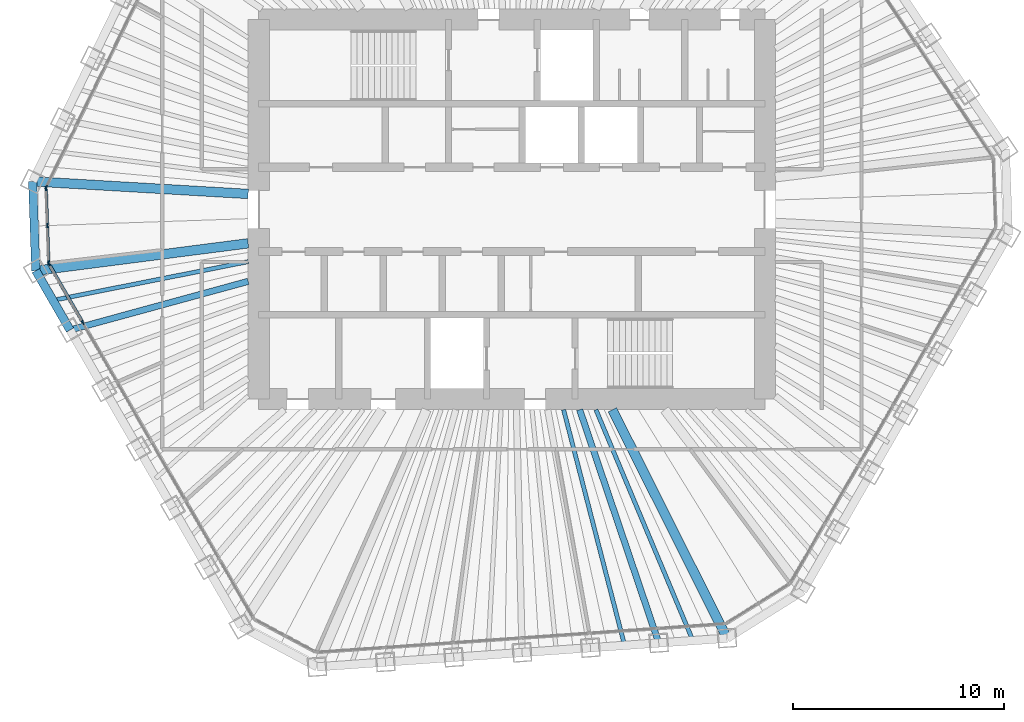
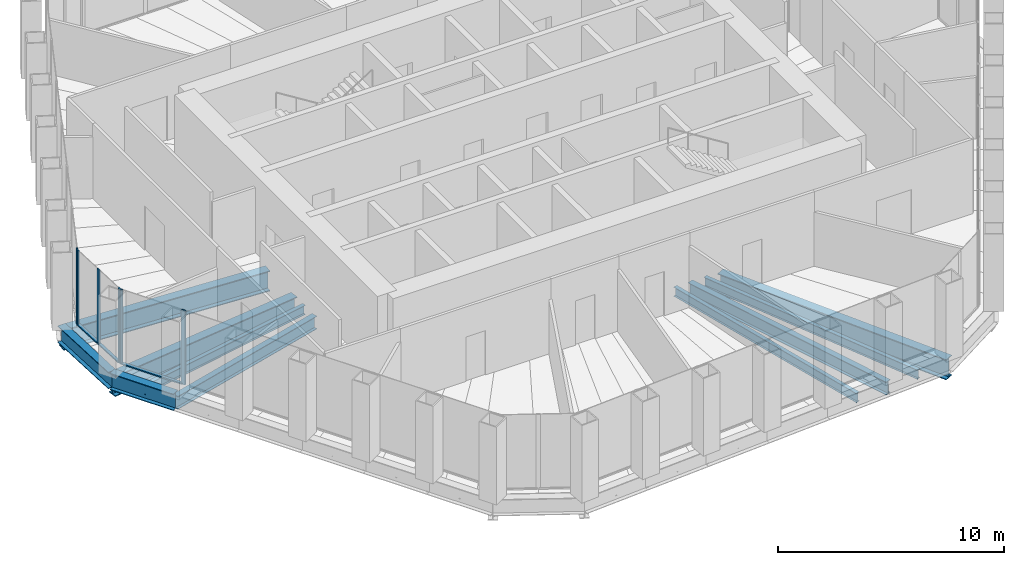
# One storey, part 3 of 14: 10 beams, 9 members, 3 elements without a shape of their own.
"""IFC4 building model written with IfcOpenShell, lengths in metres."""

from ifc_helpers import new_model, si_unit, direction, frame, origin, origin_2d, place, context, subcontext, project, spatial, rectangle, i_section, extrude, material, material_profile, profile_set, type_object, element, aggregate, save


model = new_model("IFC4")

# Units and contexts
model_context = context("Model", 3, precision=1e-05, world=origin(), true_north=direction((0.0, 1.0)))
body_context = subcontext(model_context, "Body", "Model", "MODEL_VIEW")
ifc_project = project(units=[si_unit("LENGTHUNIT", "METRE"), si_unit("AREAUNIT", "SQUARE_METRE"), si_unit("VOLUMEUNIT", "CUBIC_METRE"), si_unit("PLANEANGLEUNIT", "RADIAN"), si_unit("MASSUNIT", "GRAM", prefix="KILO")], contexts=[model_context])

# Site, building, storey
site_placement = place(None, origin())
site = spatial("IfcSite", under=ifc_project, at=site_placement, CompositionType="ELEMENT")
building_placement = place(site_placement, origin())
building = spatial("IfcBuilding", under=site, at=building_placement, Name="Qingtian Harvest Tower", CompositionType="ELEMENT")
storey_placement = place(building_placement, frame((0.0, 0.0, 278.800048828125)))
storey = spatial("IfcBuildingStorey", under=building, at=storey_placement, Name="L61", CompositionType="ELEMENT", Elevation=278.800048828125)

# Beams
ifc_material_1 = material(Name="Steel SM570MC", Category="steel")
ifc_material_profile_1 = material_profile(ifc_material_1, i_section(OverallWidth=0.449951171875, OverallDepth=1.10009765625, WebThickness=0.02197265625, FlangeThickness=0.044921875, at=origin_2d()), Name="H1100x450x22x45")
ifc_profile_set_1 = profile_set([ifc_material_profile_1], Name="Steel SM570MC")
beam_type_1 = type_object("IfcBeamType", Name="Corner floor beam FB8 H1100x450x22x45", PredefinedType="BEAM", material=ifc_profile_set_1)
beam_1_placement = place(storey_placement, frame((10.20947265625, -20.33740234375, -0.719970703125), z_axis=(-0.448646499463, 0.89370930314, 0.0), x_axis=(-0.89370930314, -0.448646499463, 0.0)))
element("IfcBeam", 1, at=beam_1_placement, inside=storey, type_object=beam_type_1, Name="Floor beam FB8 S0", PredefinedType="BEAM", context=body_context, shape_type="SweptSolid", body=[
    extrude(i_section(OverallWidth=0.449951171875, OverallDepth=1.10009765625, WebThickness=0.02197265625, FlangeThickness=0.044921875, at=origin_2d()), origin(), (0.0, 0.0, 1.0), 12.126220703125),
])
beam_2_placement = place(storey_placement, frame((-22.569580078125, -2.908447265625, -0.719970703125), z_axis=(0.991799019918, 0.127807292784, 0.0), x_axis=(-0.127807292784, 0.991799019918, 0.0)))
element("IfcBeam", 2, at=beam_2_placement, inside=storey, type_object=beam_type_1, Name="Floor beam FB8 SW6", PredefinedType="BEAM", context=body_context, shape_type="SweptSolid", body=[
    extrude(i_section(OverallWidth=0.449951171875, OverallDepth=1.10009765625, WebThickness=0.02197265625, FlangeThickness=0.044921875, at=origin_2d()), origin(), (0.0, 0.0, 1.0), 10.15283203125),
])
beam_3_placement = place(storey_placement, frame((-22.71728515625, 1.3271484375, -0.719970703125), z_axis=(0.998297736533, -0.058323487833, 0.0), x_axis=(0.058323487833, 0.998297736533, 0.0)))
element("IfcBeam", 3, at=beam_3_placement, inside=storey, type_object=beam_type_1, Name="Floor beam FB8 NW0", PredefinedType="BEAM", context=body_context, shape_type="SweptSolid", body=[
    extrude(i_section(OverallWidth=0.449951171875, OverallDepth=1.10009765625, WebThickness=0.02197265625, FlangeThickness=0.044921875, at=origin_2d()), origin(), (0.0, 0.0, 1.0), 10.234619140625),
])
ifc_material_2 = material(Name="Steel SN490B", Category="steel")
ifc_material_profile_2 = material_profile(ifc_material_2, i_section(OverallWidth=0.300048828125, OverallDepth=0.699951171875, WebThickness=0.012939453125, FlangeThickness=0.02392578125, at=origin_2d()), Name="H700x300x13x24")
ifc_profile_set_2 = profile_set([ifc_material_profile_2], Name="Steel SN490B")
beam_type_2 = type_object("IfcBeamType", Name="Floor beam FB4 H700x300x13x24", PredefinedType="BEAM", material=ifc_profile_set_2)
beam_4_placement = place(storey_placement, frame((6.96923828125, -20.56396484375, -0.52001953125), z_axis=(-0.320963665382, 0.947091508517, 0.0), x_axis=(-0.947091508517, -0.320963665382, 0.0)))
element("IfcBeam", 4, at=beam_4_placement, inside=storey, type_object=beam_type_2, Name="Floor beam FB4 S1", PredefinedType="BEAM", context=body_context, shape_type="SweptSolid", body=[
    extrude(i_section(OverallWidth=0.300048828125, OverallDepth=0.699951171875, WebThickness=0.012939453125, FlangeThickness=0.02392578125, at=origin_2d()), origin(), (0.0, 0.0, 1.0), 11.68212890625),
])
beam_5_placement = place(storey_placement, frame((-20.945556640625, -5.721435546875, -0.52001953125), z_axis=(0.964660783636, 0.263494919335, 0.0), x_axis=(-0.263494919335, 0.964660783636, 0.0)))
element("IfcBeam", 5, at=beam_5_placement, inside=storey, type_object=beam_type_2, Name="Floor beam FB4 SW5", PredefinedType="BEAM", context=body_context, shape_type="SweptSolid", body=[
    extrude(i_section(OverallWidth=0.300048828125, OverallDepth=0.699951171875, WebThickness=0.012939453125, FlangeThickness=0.02392578125, at=origin_2d()), origin(), (0.0, 0.0, 1.0), 8.7548828125),
])
ifc_material_3 = material(Name="Steel SN490B", Category="steel")
ifc_material_profile_3 = material_profile(ifc_material_3, i_section(OverallWidth=0.199951171875, OverallDepth=0.5, WebThickness=0.010009765625, FlangeThickness=0.01611328125, at=origin_2d()), Name="H500x200x10x16")
ifc_profile_set_3 = profile_set([ifc_material_profile_3], Name="Steel SN490B")
beam_type_3 = type_object("IfcBeamType", Name="Floor joist J3 H500x200x10x16", PredefinedType="JOIST", material=ifc_profile_set_3)
beam_6_placement = place(storey_placement, frame((8.58935546875, -20.45068359375, -0.420166015625), z_axis=(-0.387238075679, 0.921979757232, 0.0), x_axis=(-0.921979757232, -0.387238075679, 0.0)))
element("IfcBeam", 6, at=beam_6_placement, inside=storey, type_object=beam_type_3, Name="Floor joist J3 S0", PredefinedType="JOIST", context=body_context, shape_type="SweptSolid", body=[
    extrude(i_section(OverallWidth=0.199951171875, OverallDepth=0.5, WebThickness=0.010009765625, FlangeThickness=0.01611328125, at=origin_2d()), origin(), (0.0, 0.0, 1.0), 11.87744140625),
])
beam_7_placement = place(storey_placement, frame((5.349365234375, -20.67724609375, -0.420166015625), z_axis=(-0.250458686855, 0.968127288211, 0.0), x_axis=(-0.968127288211, -0.250458686855, 0.0)))
element("IfcBeam", 7, at=beam_7_placement, inside=storey, type_object=beam_type_3, Name="Floor joist J3 S1", PredefinedType="JOIST", context=body_context, shape_type="SweptSolid", body=[
    extrude(i_section(OverallWidth=0.199951171875, OverallDepth=0.5, WebThickness=0.010009765625, FlangeThickness=0.01611328125, at=origin_2d()), origin(), (0.0, 0.0, 1.0), 11.545166015625),
])
beam_8_placement = place(storey_placement, frame((-21.757568359375, -4.31494140625, -0.420166015625), z_axis=(0.980896774681, 0.194528962937, 0.0), x_axis=(-0.194528962937, 0.980896774681, 0.0)))
element("IfcBeam", 8, at=beam_8_placement, inside=storey, type_object=beam_type_3, Name="Floor joist J3 SW5", PredefinedType="JOIST", context=body_context, shape_type="SweptSolid", body=[
    extrude(i_section(OverallWidth=0.199951171875, OverallDepth=0.5, WebThickness=0.010009765625, FlangeThickness=0.01611328125, at=origin_2d()), origin(), (0.0, 0.0, 1.0), 9.437744140625),
])

# Curtain wall, members
ifc_material_4 = material(Name="Bronze-anodised aluminium curtain wall", Category="aluminium")
curtain_wall_type = type_object("IfcCurtainWallType", Name="Curtain wall CW5 upper office", PredefinedType="USERDEFINED", material=ifc_material_4)
curtain_wall_1_placement = place(storey_placement, origin())
curtain_wall_1 = element("IfcCurtainWall", 9, at=curtain_wall_1_placement, inside=storey, type_object=curtain_wall_type, Name="Curtain wall CW5 L61 SW0-5", ObjectType="RECESSED CURTAIN WALL", PredefinedType="USERDEFINED")
ifc_material_5 = material(Name="Bronze-anodised aluminium mullion", Category="aluminium")
ifc_material_profile_4 = material_profile(ifc_material_5, rectangle(XDim=0.06494140625, YDim=0.199951171875, at=origin_2d()), Name="AL 65x200")
ifc_profile_set_4 = profile_set([ifc_material_profile_4], Name="Bronze-anodised aluminium mullion")
member_type_1 = type_object("IfcMemberType", Name="Mullion CWM 65x200", PredefinedType="MULLION", material=ifc_profile_set_4)
member_1_placement = place(storey_placement, frame((-20.33935546875, -5.371337890625, 0.0), z_axis=(0.0, 0.0, 1.0), x_axis=(-0.866025403784, -0.5, 0.0)))
member_1 = element("IfcMember", 10, at=member_1_placement, type_object=member_type_1, Name="CW5 mullion 6", PredefinedType="MULLION", context=body_context, shape_type="SweptSolid", body=[
    extrude(rectangle(XDim=0.06494140625, YDim=0.199951171875, at=origin_2d()), origin(), (0.0, 0.0, 1.0), 4.030029296875),
])
member_2_placement = place(storey_placement, frame((-21.947021484375, -2.586669921875, 0.0), z_axis=(0.0, 0.0, 1.0), x_axis=(-0.866025403784, -0.5, 0.0)))
member_2 = element("IfcMember", 11, at=member_2_placement, type_object=member_type_1, Name="CW5 mullion 7", PredefinedType="MULLION", context=body_context, shape_type="SweptSolid", body=[
    extrude(rectangle(XDim=0.06494140625, YDim=0.199951171875, at=origin_2d()), origin(), (0.0, 0.0, 1.0), 4.030029296875),
])

curtain_wall_2_placement = place(storey_placement, origin())
curtain_wall_2 = element("IfcCurtainWall", 12, at=curtain_wall_2_placement, inside=storey, type_object=curtain_wall_type, Name="Curtain wall CW5 L61 SWC", ObjectType="RECESSED CURTAIN WALL", PredefinedType="USERDEFINED")
member_3_placement = place(storey_placement, frame((-21.96435546875, -2.526123046875, 0.0), z_axis=(0.0, 0.0, 1.0), x_axis=(-0.999390827019, -0.034899496703, 0.0)))
member_3 = element("IfcMember", 13, at=member_3_placement, type_object=member_type_1, Name="CW5 mullion 1", PredefinedType="MULLION", context=body_context, shape_type="SweptSolid", body=[
    extrude(rectangle(XDim=0.06494140625, YDim=0.199951171875, at=origin_2d()), origin(), (0.0, 0.0, 1.0), 4.030029296875),
])
member_4_placement = place(storey_placement, frame((-22.025634765625, -0.76904296875, 0.0), z_axis=(0.0, 0.0, 1.0), x_axis=(-0.999390827019, -0.034899496703, 0.0)))
member_4 = element("IfcMember", 14, at=member_4_placement, type_object=member_type_1, Name="CW5 mullion 2", PredefinedType="MULLION", context=body_context, shape_type="SweptSolid", body=[
    extrude(rectangle(XDim=0.06494140625, YDim=0.199951171875, at=origin_2d()), origin(), (0.0, 0.0, 1.0), 4.030029296875),
])
member_5_placement = place(storey_placement, frame((-22.087158203125, 0.98779296875, 0.0), z_axis=(0.0, 0.0, 1.0), x_axis=(-0.999390827019, -0.034899496703, 0.0)))
member_5 = element("IfcMember", 15, at=member_5_placement, type_object=member_type_1, Name="CW5 mullion 3", PredefinedType="MULLION", context=body_context, shape_type="SweptSolid", body=[
    extrude(rectangle(XDim=0.06494140625, YDim=0.199951171875, at=origin_2d()), origin(), (0.0, 0.0, 1.0), 4.030029296875),
])

# Curtain wall, member
curtain_wall_3_placement = place(storey_placement, origin())
curtain_wall_3 = element("IfcCurtainWall", 16, at=curtain_wall_3_placement, inside=storey, type_object=curtain_wall_type, Name="Curtain wall CW5 L61 NW0-5", ObjectType="RECESSED CURTAIN WALL", PredefinedType="USERDEFINED")
member_6_placement = place(storey_placement, frame((-22.073974609375, 1.04931640625, 0.0), z_axis=(0.0, 0.0, 1.0), x_axis=(-0.898794046299, 0.438371146789, 0.0)))
member_6 = element("IfcMember", 17, at=member_6_placement, type_object=member_type_1, Name="CW5 mullion 1", PredefinedType="MULLION", context=body_context, shape_type="SweptSolid", body=[
    extrude(rectangle(XDim=0.06494140625, YDim=0.199951171875, at=origin_2d()), origin(), (0.0, 0.0, 1.0), 4.030029296875),
])
aggregate(curtain_wall_3, [member_6])

# Beams
ifc_material_6 = material(Name="Steel SN490B", Category="steel")
ifc_material_profile_5 = material_profile(ifc_material_6, i_section(OverallWidth=0.39990234375, OverallDepth=0.89990234375, WebThickness=0.01904296875, FlangeThickness=0.035888671875, at=origin_2d()), Name="H900x400x19x36")
ifc_profile_set_5 = profile_set([ifc_material_profile_5], Name="Steel SN490B")
beam_type_4 = type_object("IfcBeamType", Name="Spandrel beam SB4 H900x400x19x36", PredefinedType="SPANDREL", material=ifc_profile_set_5)
beam_9_placement = place(storey_placement, frame((-20.945556640625, -5.721435546875, -0.449951171875), z_axis=(-0.499987045439, 0.866032882975, 0.0), x_axis=(-0.866032882975, -0.499987045439, 0.0)))
element("IfcBeam", 18, at=beam_9_placement, inside=storey, type_object=beam_type_4, Name="Spandrel SB4 SW5", PredefinedType="SPANDREL", context=body_context, shape_type="SweptSolid", body=[
    extrude(i_section(OverallWidth=0.39990234375, OverallDepth=0.89990234375, WebThickness=0.01904296875, FlangeThickness=0.035888671875, at=origin_2d()), origin(), (0.0, 0.0, 1.0), 3.248046875),
])
beam_10_placement = place(storey_placement, frame((-22.569580078125, -2.908447265625, -0.449951171875), z_axis=(-0.034851142499, 0.999392514414, 0.0), x_axis=(-0.999392514414, -0.034851142499, 0.0)))
element("IfcBeam", 19, at=beam_10_placement, inside=storey, type_object=beam_type_4, Name="Spandrel SB4 SWC", PredefinedType="SPANDREL", context=body_context, shape_type="SweptSolid", body=[
    extrude(i_section(OverallWidth=0.39990234375, OverallDepth=0.89990234375, WebThickness=0.01904296875, FlangeThickness=0.035888671875, at=origin_2d()), origin(), (0.0, 0.0, 1.0), 4.23828125),
])

# Member
ifc_material_7 = material(Name="Bronze-anodised aluminium transom", Category="aluminium")
ifc_material_profile_6 = material_profile(ifc_material_7, rectangle(XDim=0.14990234375, YDim=0.06494140625, at=origin_2d()), Name="AL 65x150")
ifc_profile_set_6 = profile_set([ifc_material_profile_6], Name="Bronze-anodised aluminium transom")
member_type_2 = type_object("IfcMemberType", Name="Transom CWT 65x150", PredefinedType="USERDEFINED", material=ifc_profile_set_6)
member_7_placement = place(storey_placement, frame((-20.35546875, -5.34326171875, 0.032470703125), z_axis=(-0.499972881236, 0.866041060244, 0.0), x_axis=(-0.866041060244, -0.499972881236, 0.0)))
member_7 = element("IfcMember", 20, at=member_7_placement, type_object=member_type_2, Name="CW5 transom 6.1", ObjectType="TRANSOM", PredefinedType="USERDEFINED", context=body_context, shape_type="SweptSolid", body=[
    extrude(rectangle(XDim=0.14990234375, YDim=0.06494140625, at=origin_2d()), origin(), (0.0, 0.0, 1.0), 3.150634765625),
])

aggregate(curtain_wall_1, [member_1, member_2, member_7])

member_8_placement = place(storey_placement, frame((-21.965576171875, -2.49365234375, 0.032470703125), z_axis=(-0.034899362377, 0.99939083171, 0.0), x_axis=(-0.99939083171, -0.034899362377, 0.0)))
member_8 = element("IfcMember", 21, at=member_8_placement, type_object=member_type_2, Name="CW5 transom 1.1", ObjectType="TRANSOM", PredefinedType="USERDEFINED", context=body_context, shape_type="SweptSolid", body=[
    extrude(rectangle(XDim=0.14990234375, YDim=0.06494140625, at=origin_2d()), origin(), (0.0, 0.0, 1.0), 1.69287109375),
])

member_9_placement = place(storey_placement, frame((-22.02685546875, -0.736572265625, 0.032470703125), z_axis=(-0.034899362377, 0.99939083171, 0.0), x_axis=(-0.99939083171, -0.034899362377, 0.0)))
member_9 = element("IfcMember", 22, at=member_9_placement, type_object=member_type_2, Name="CW5 transom 2.1", ObjectType="TRANSOM", PredefinedType="USERDEFINED", context=body_context, shape_type="SweptSolid", body=[
    extrude(rectangle(XDim=0.14990234375, YDim=0.06494140625, at=origin_2d()), origin(), (0.0, 0.0, 1.0), 1.69287109375),
])

aggregate(curtain_wall_2, [member_3, member_4, member_5, member_8, member_9])

save(model, "model.ifc")
